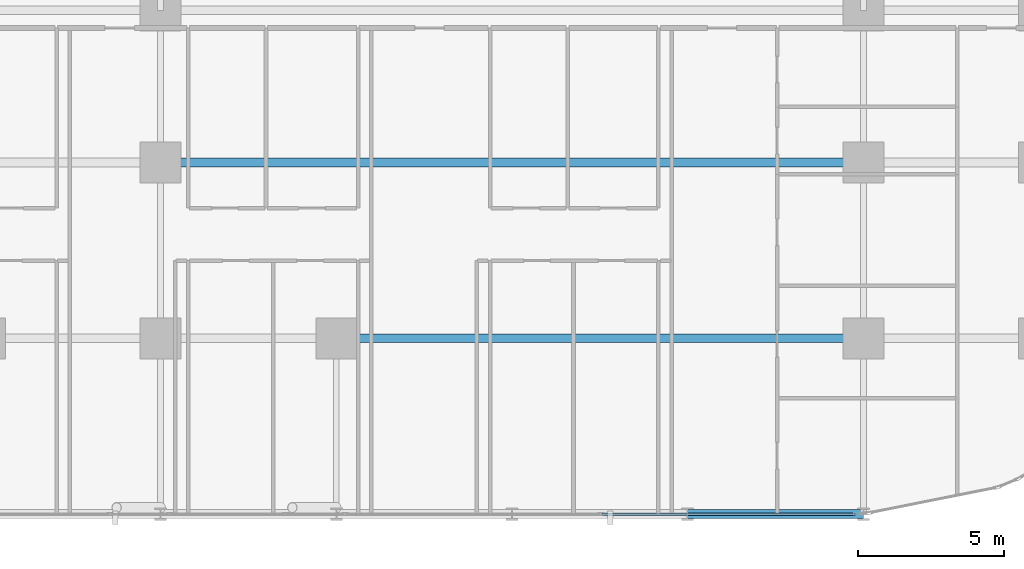
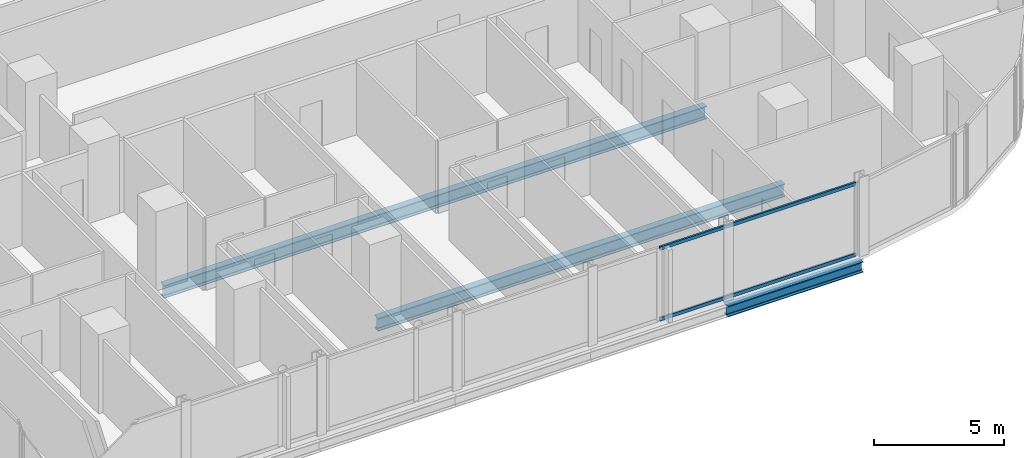
# One storey, part 8 of 35: 3 beams, 2 members, 1 element without a shape of its own.
"""IFC4 building model written with IfcOpenShell, lengths in metres."""

from ifc_helpers import new_model, si_unit, direction, frame, origin, origin_2d, place, context, subcontext, project, spatial, hollow_rectangle, i_section, extrude, material, layer, layer_set, material_profile, profile_set, type_object, element, aggregate, save


model = new_model("IFC4")

# Units and contexts
model_context = context("Model", 3, precision=1e-05, world=origin(), true_north=direction((0.0, 1.0)))
body_context = subcontext(model_context, "Body", "Model", "MODEL_VIEW")
ifc_project = project(units=[si_unit("LENGTHUNIT", "METRE"), si_unit("AREAUNIT", "SQUARE_METRE"), si_unit("VOLUMEUNIT", "CUBIC_METRE"), si_unit("PLANEANGLEUNIT", "RADIAN"), si_unit("MASSUNIT", "GRAM", prefix="KILO")], contexts=[model_context])

# Site, building, storey
site_placement = place(None, origin())
site = spatial("IfcSite", under=ifc_project, at=site_placement, CompositionType="ELEMENT")
building_placement = place(site_placement, origin())
building = spatial("IfcBuilding", under=site, at=building_placement, Name="Keshet Zoharim Tower", CompositionType="ELEMENT")
storey_placement = place(building_placement, frame((0.0, 0.0, 24.0)))
storey = spatial("IfcBuildingStorey", under=building, at=storey_placement, Name="L04", CompositionType="ELEMENT", Elevation=24.0)

# Beams
ifc_material_1 = material(Name="Steel S355", Category="steel")
ifc_material_profile_1 = material_profile(ifc_material_1, i_section(OverallWidth=0.300048828125, OverallDepth=0.60009765625, WebThickness=0.015380859375, FlangeThickness=0.030029296875, FilletRadius=0.027099609375, at=origin_2d()), Name="HEB600")
ifc_profile_set_1 = profile_set([ifc_material_profile_1], Name="Steel S355")
beam_type_1 = type_object("IfcBeamType", Name="BM-LNG-HB600", PredefinedType="BEAM", material=ifc_profile_set_1)
beam_1_placement = place(storey_placement, frame((39.0, 6.699951171875, -0.614990234375), z_axis=(1.0, 0.0, 0.0), x_axis=(0.0, 1.0, 0.0)))
element("IfcBeam", 1, at=beam_1_placement, inside=storey, type_object=beam_type_1, Name="L04 Primary Girder X-009", PredefinedType="BEAM", context=body_context, shape_type="SweptSolid", body=[
    extrude(i_section(OverallWidth=0.300048828125, OverallDepth=0.60009765625, WebThickness=0.015380859375, FlangeThickness=0.030029296875, FilletRadius=0.027099609375, at=origin_2d()), origin(), (0.0, 0.0, 1.0), 18.0),
])
beam_2_placement = place(storey_placement, frame((33.0, 12.699951171875, -0.614990234375), z_axis=(1.0, 0.0, 0.0), x_axis=(0.0, 1.0, 0.0)))
element("IfcBeam", 2, at=beam_2_placement, inside=storey, type_object=beam_type_1, Name="L04 Primary Girder X-012", PredefinedType="BEAM", context=body_context, shape_type="SweptSolid", body=[
    extrude(i_section(OverallWidth=0.300048828125, OverallDepth=0.60009765625, WebThickness=0.015380859375, FlangeThickness=0.030029296875, FilletRadius=0.027099609375, at=origin_2d()), origin(), (0.0, 0.0, 1.0), 24.0),
])
ifc_material_profile_2 = material_profile(ifc_material_1, i_section(OverallWidth=0.300048828125, OverallDepth=0.5, WebThickness=0.014404296875, FlangeThickness=0.028076171875, FilletRadius=0.027099609375, at=origin_2d()), Name="HEB500")
ifc_profile_set_2 = profile_set([ifc_material_profile_2], Name="Steel S355")
beam_type_2 = type_object("IfcBeamType", Name="BM-WEB-HB500", PredefinedType="BEAM", material=ifc_profile_set_2)
beam_3_placement = place(storey_placement, frame((51.0, 0.699951171875, -0.56494140625), z_axis=(1.0, 0.0, 0.0), x_axis=(0.0, 1.0, 0.0)))
element("IfcBeam", 3, at=beam_3_placement, inside=storey, type_object=beam_type_2, Name="L04 Primary Girder X-005", PredefinedType="BEAM", context=body_context, shape_type="SweptSolid", body=[
    extrude(i_section(OverallWidth=0.300048828125, OverallDepth=0.5, WebThickness=0.014404296875, FlangeThickness=0.028076171875, FilletRadius=0.027099609375, at=origin_2d()), origin(), (0.0, 0.0, 1.0), 6.0),
])

# Curtain wall, members
ifc_material_2 = material(Name="Aluminium 6063-T6", Category="aluminium")
ifc_layer = layer(ifc_material_2, 0.179931640625)
ifc_layer_set = layer_set([ifc_layer], Name="Aluminium 6063-T6")
curtain_wall_type = type_object("IfcCurtainWallType", Name="CW-SYS-01", PredefinedType="NOTDEFINED", material=ifc_layer_set)
curtain_wall_placement = place(storey_placement, origin())
curtain_wall = element("IfcCurtainWall", 4, at=curtain_wall_placement, inside=storey, type_object=curtain_wall_type, Name="L04 Unitised Curtain Wall 26", PredefinedType="NOTDEFINED")
ifc_material_profile_3 = material_profile(ifc_material_2, hollow_rectangle(XDim=0.0849609375, YDim=0.159912109375, WallThickness=0.00439453125, at=origin_2d()), Name="TRN-85x160")
ifc_profile_set_3 = profile_set([ifc_material_profile_3], Name="Aluminium 6063-T6")
member_type = type_object("IfcMemberType", Name="CWT-T16", PredefinedType="USERDEFINED", material=ifc_profile_set_3)
member_1_placement = place(storey_placement, frame((56.73291015625, 0.699951171875, 0.034912109375), z_axis=(-1.0, 0.0, 0.0), x_axis=(0.0, -1.0, 0.0)))
member_1 = element("IfcMember", 5, at=member_1_placement, type_object=member_type, Name="CW-01 transom 1.1", ObjectType="TRANSOM", PredefinedType="USERDEFINED", context=body_context, shape_type="SweptSolid", body=[
    extrude(hollow_rectangle(XDim=0.0849609375, YDim=0.159912109375, WallThickness=0.00439453125, at=origin_2d()), origin(), (0.0, 0.0, 1.0), 8.6650390625),
])
member_2_placement = place(storey_placement, frame((56.73291015625, 0.699951171875, 3.35009765625), z_axis=(-1.0, 0.0, 0.0), x_axis=(0.0, -1.0, 0.0)))
member_2 = element("IfcMember", 6, at=member_2_placement, type_object=member_type, Name="CW-01 transom 1.2", ObjectType="TRANSOM", PredefinedType="USERDEFINED", context=body_context, shape_type="SweptSolid", body=[
    extrude(hollow_rectangle(XDim=0.0849609375, YDim=0.159912109375, WallThickness=0.00439453125, at=origin_2d()), origin(), (0.0, 0.0, 1.0), 8.6650390625),
])
aggregate(curtain_wall, [member_1, member_2])

save(model, "model.ifc")
